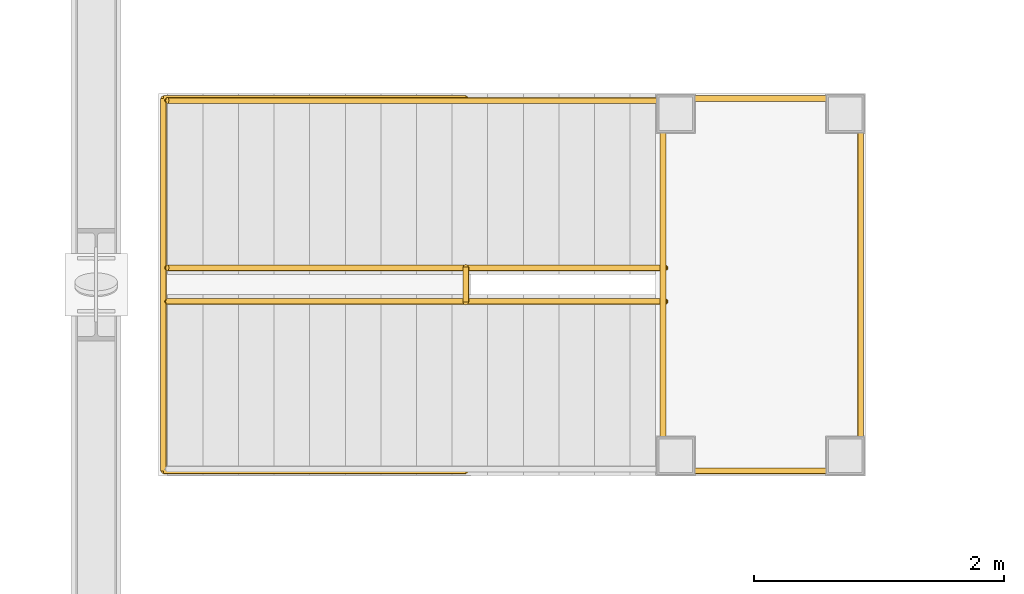
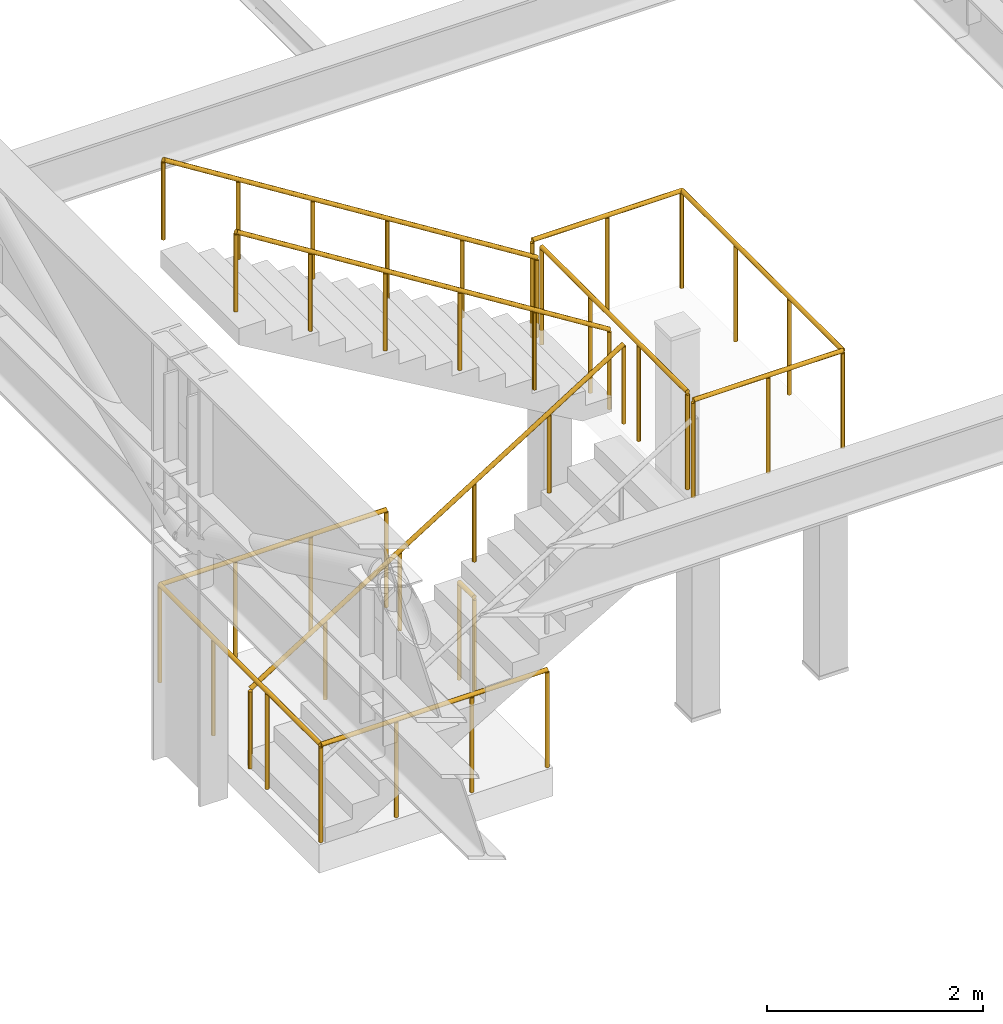
# One storey, part 124 of 143: 7 railings.
"""IFC4 building model written with IfcOpenShell, lengths in metres."""

from ifc_helpers import new_model, si_unit, direction, frame, origin, origin_2d, place, context, subcontext, project, spatial, circle, extrude, material, type_object, element, save


model = new_model("IFC4")

# Units and contexts
model_context = context("Model", 3, precision=1e-05, world=origin(), true_north=direction((0.0, 1.0)))
body_context = subcontext(model_context, "Body", "Model", "MODEL_VIEW")
ifc_project = project(units=[si_unit("LENGTHUNIT", "METRE"), si_unit("AREAUNIT", "SQUARE_METRE"), si_unit("VOLUMEUNIT", "CUBIC_METRE"), si_unit("PLANEANGLEUNIT", "RADIAN"), si_unit("MASSUNIT", "GRAM", prefix="KILO")], contexts=[model_context])

# Site, building, storey
site_placement = place(None, origin())
site = spatial("IfcSite", under=ifc_project, at=site_placement, CompositionType="ELEMENT")
building_placement = place(site_placement, origin())
building = spatial("IfcBuilding", under=site, at=building_placement, Name="Marlcrest Central Station", CompositionType="ELEMENT")
storey_placement = place(building_placement, frame((0.0, 0.0, 4.800048828125)))
storey = spatial("IfcBuildingStorey", under=building, at=storey_placement, Name="L01", CompositionType="ELEMENT", Elevation=4.800048828125)

# Railings
ifc_material_1 = material(Name="Stainless steel and laminated glass concourse balustrade", Category="steel")
railing_type_1 = type_object("IfcRailingType", Name="GR-02", PredefinedType="BALUSTRADE", material=ifc_material_1)
railing_1_placement = place(storey_placement, frame((121.4599609375, 49.510009765625, 0.0)))
element("IfcRailing", 1, at=railing_1_placement, inside=storey, type_object=railing_type_1, Name="hr-L01-00052", PredefinedType="BALUSTRADE", context=body_context, shape_type="SweptSolid", body=[
    extrude(circle(Radius=0.02392578125, at=origin_2d()), frame((0.0, 0.0, 1.09619140625), z_axis=(-1.0, 0.0, 0.0), x_axis=(0.0, -1.0, 0.0)), (0.0, 0.0, 1.0), 2.419921875),
    extrude(circle(Radius=0.02392578125, at=origin_2d()), frame((-2.419921875, 0.0, 1.09619140625), z_axis=(0.0, 1.0, 0.0), x_axis=(-1.0, 0.0, 0.0)), (0.0, 0.0, 1.0), 2.97998046875),
    extrude(circle(Radius=0.02392578125, at=origin_2d()), frame((-2.419921875, 2.97998046875, 1.09619140625), z_axis=(1.0, 0.0, 0.0), x_axis=(0.0, 1.0, 0.0)), (0.0, 0.0, 1.0), 2.419921875),
    extrude(circle(Radius=0.02099609375, at=origin_2d()), origin(), (0.0, 0.0, 1.0), 1.072021484375),
    extrude(circle(Radius=0.02099609375, at=origin_2d()), frame((-0.806640625, 0.0, 0.0)), (0.0, 0.0, 1.0), 1.072021484375),
    extrude(circle(Radius=0.02099609375, at=origin_2d()), frame((-1.61328125, 0.0, 0.0)), (0.0, 0.0, 1.0), 1.072021484375),
    extrude(circle(Radius=0.02099609375, at=origin_2d()), frame((-2.419921875, 0.0, 0.0)), (0.0, 0.0, 1.0), 1.072021484375),
    extrude(circle(Radius=0.02099609375, at=origin_2d()), frame((-2.419921875, 0.993408203125, 0.0)), (0.0, 0.0, 1.0), 1.072021484375),
    extrude(circle(Radius=0.02099609375, at=origin_2d()), frame((-2.419921875, 1.986572265625, 0.0)), (0.0, 0.0, 1.0), 1.072021484375),
    extrude(circle(Radius=0.02099609375, at=origin_2d()), frame((-2.419921875, 2.97998046875, 0.0)), (0.0, 0.0, 1.0), 1.072021484375),
    extrude(circle(Radius=0.02099609375, at=origin_2d()), frame((-1.61328125, 2.97998046875, 0.0)), (0.0, 0.0, 1.0), 1.072021484375),
    extrude(circle(Radius=0.02099609375, at=origin_2d()), frame((-0.806640625, 2.97998046875, 0.0)), (0.0, 0.0, 1.0), 1.072021484375),
    extrude(circle(Radius=0.02099609375, at=origin_2d()), frame((0.0, 2.97998046875, 0.0)), (0.0, 0.0, 1.0), 1.072021484375),
])
railing_2_placement = place(storey_placement, frame((121.4599609375, 50.860107421875, 0.0)))
element("IfcRailing", 2, at=railing_2_placement, inside=storey, type_object=railing_type_1, Name="hr-L01-00053", PredefinedType="BALUSTRADE", context=body_context, shape_type="SweptSolid", body=[
    extrude(circle(Radius=0.02392578125, at=origin_2d()), frame((0.0, 0.0, 1.09619140625), z_axis=(0.0, 1.0, 0.0), x_axis=(-1.0, 0.0, 0.0)), (0.0, 0.0, 1.0), 0.27978515625),
    extrude(circle(Radius=0.02099609375, at=origin_2d()), origin(), (0.0, 0.0, 1.0), 1.072021484375),
    extrude(circle(Radius=0.02099609375, at=origin_2d()), frame((0.0, 0.27978515625, 0.0)), (0.0, 0.0, 1.0), 1.072021484375),
])
railing_3_placement = place(storey_placement, frame((123.02001953125, 49.510009765625, 2.5)))
element("IfcRailing", 3, at=railing_3_placement, inside=storey, type_object=railing_type_1, Name="hr-L01-00067", PredefinedType="BALUSTRADE", context=body_context, shape_type="SweptSolid", body=[
    extrude(circle(Radius=0.02392578125, at=origin_2d()), frame((0.0, 0.0, 1.09619140625), z_axis=(1.0, 0.0, 0.0), x_axis=(0.0, 1.0, 0.0)), (0.0, 0.0, 1.0), 1.60009765625),
    extrude(circle(Radius=0.02392578125, at=origin_2d()), frame((1.60009765625, 0.0, 1.09619140625), z_axis=(0.0, 1.0, 0.0), x_axis=(-1.0, 0.0, 0.0)), (0.0, 0.0, 1.0), 2.97998046875),
    extrude(circle(Radius=0.02392578125, at=origin_2d()), frame((1.60009765625, 2.97998046875, 1.09619140625), z_axis=(-1.0, 0.0, 0.0), x_axis=(0.0, -1.0, 0.0)), (0.0, 0.0, 1.0), 1.60009765625),
    extrude(circle(Radius=0.02099609375, at=origin_2d()), origin(), (0.0, 0.0, 1.0), 1.072021484375),
    extrude(circle(Radius=0.02099609375, at=origin_2d()), frame((0.800048828125, 0.0, 0.0)), (0.0, 0.0, 1.0), 1.072021484375),
    extrude(circle(Radius=0.02099609375, at=origin_2d()), frame((1.60009765625, 0.0, 0.0)), (0.0, 0.0, 1.0), 1.072021484375),
    extrude(circle(Radius=0.02099609375, at=origin_2d()), frame((1.60009765625, 0.993408203125, 0.0)), (0.0, 0.0, 1.0), 1.072021484375),
    extrude(circle(Radius=0.02099609375, at=origin_2d()), frame((1.60009765625, 1.986572265625, 0.0)), (0.0, 0.0, 1.0), 1.072021484375),
    extrude(circle(Radius=0.02099609375, at=origin_2d()), frame((1.60009765625, 2.97998046875, 0.0)), (0.0, 0.0, 1.0), 1.072021484375),
    extrude(circle(Radius=0.02099609375, at=origin_2d()), frame((0.800048828125, 2.97998046875, 0.0)), (0.0, 0.0, 1.0), 1.072021484375),
    extrude(circle(Radius=0.02099609375, at=origin_2d()), frame((0.0, 2.97998046875, 0.0)), (0.0, 0.0, 1.0), 1.072021484375),
])
railing_4_placement = place(storey_placement, frame((123.0400390625, 49.64990234375, 2.5)))
element("IfcRailing", 4, at=railing_4_placement, inside=storey, type_object=railing_type_1, Name="hr-L01-00576", PredefinedType="BALUSTRADE", context=body_context, shape_type="SweptSolid", body=[
    extrude(circle(Radius=0.02392578125, at=origin_2d()), frame((0.0, 0.0, 1.09619140625), z_axis=(0.0, 1.0, 0.0), x_axis=(-1.0, 0.0, 0.0)), (0.0, 0.0, 1.0), 2.7001953125),
    extrude(circle(Radius=0.02099609375, at=origin_2d()), origin(), (0.0, 0.0, 1.0), 1.072021484375),
    extrude(circle(Radius=0.02099609375, at=origin_2d()), frame((0.0, 0.900146484375, 0.0)), (0.0, 0.0, 1.0), 1.072021484375),
    extrude(circle(Radius=0.02099609375, at=origin_2d()), frame((0.0, 1.800048828125, 0.0)), (0.0, 0.0, 1.0), 1.072021484375),
    extrude(circle(Radius=0.02099609375, at=origin_2d()), frame((0.0, 2.7001953125, 0.0)), (0.0, 0.0, 1.0), 1.072021484375),
])
ifc_material_2 = material(Name="Brushed stainless steel handrail", Category="steel")
railing_type_2 = type_object("IfcRailingType", Name="HR-01", PredefinedType="HANDRAIL", material=ifc_material_2)
railing_5_placement = place(storey_placement, frame((123.06005859375, 51.135009765625, 2.5)))
element("IfcRailing", 5, at=railing_5_placement, inside=storey, type_object=railing_type_2, Name="hr-L01-00064", PredefinedType="HANDRAIL", context=body_context, shape_type="SweptSolid", body=[
    extrude(circle(Radius=0.02392578125, at=origin_2d()), frame((0.0, 0.0, 0.89599609375), z_axis=(-0.847400605549, 0.0, 0.530954059892), x_axis=(0.0, -1.0, 0.0)), (0.0, 0.0, 1.0), 4.70849609375),
    extrude(circle(Radius=0.02099609375, at=origin_2d()), origin(), (0.0, 0.0, 1.0), 0.871826171875),
    extrude(circle(Radius=0.02099609375, at=origin_2d()), frame((-0.798095703125, 0.0, 0.5)), (0.0, 0.0, 1.0), 0.871826171875),
    extrude(circle(Radius=0.02099609375, at=origin_2d()), frame((-1.595947265625, 0.0, 1.0)), (0.0, 0.0, 1.0), 0.871826171875),
    extrude(circle(Radius=0.02099609375, at=origin_2d()), frame((-2.39404296875, 0.0, 1.5)), (0.0, 0.0, 1.0), 0.871826171875),
    extrude(circle(Radius=0.02099609375, at=origin_2d()), frame((-3.19189453125, 0.0, 2.0)), (0.0, 0.0, 1.0), 0.871826171875),
    extrude(circle(Radius=0.02099609375, at=origin_2d()), frame((-3.989990234375, 0.0, 2.5)), (0.0, 0.0, 1.0), 0.871826171875),
])
railing_6_placement = place(storey_placement, frame((119.070068359375, 50.864990234375, 0.0)))
element("IfcRailing", 6, at=railing_6_placement, inside=storey, type_object=railing_type_2, Name="hr-L01-00065", PredefinedType="HANDRAIL", context=body_context, shape_type="SweptSolid", body=[
    extrude(circle(Radius=0.02392578125, at=origin_2d()), frame((0.0, 0.0, 0.89599609375), z_axis=(0.847400605549, 0.0, 0.530954059892), x_axis=(0.0, 1.0, 0.0)), (0.0, 0.0, 1.0), 4.70849609375),
    extrude(circle(Radius=0.02099609375, at=origin_2d()), origin(), (0.0, 0.0, 1.0), 0.871826171875),
    extrude(circle(Radius=0.02099609375, at=origin_2d()), frame((0.798095703125, 0.0, 0.5)), (0.0, 0.0, 1.0), 0.871826171875),
    extrude(circle(Radius=0.02099609375, at=origin_2d()), frame((1.595947265625, 0.0, 1.0)), (0.0, 0.0, 1.0), 0.871826171875),
    extrude(circle(Radius=0.02099609375, at=origin_2d()), frame((2.39404296875, 0.0, 1.5)), (0.0, 0.0, 1.0), 0.871826171875),
    extrude(circle(Radius=0.02099609375, at=origin_2d()), frame((3.19189453125, 0.0, 2.0)), (0.0, 0.0, 1.0), 0.871826171875),
    extrude(circle(Radius=0.02099609375, at=origin_2d()), frame((3.989990234375, 0.0, 2.5)), (0.0, 0.0, 1.0), 0.871826171875),
])
railing_7_placement = place(storey_placement, frame((123.06005859375, 52.47509765625, 2.5)))
element("IfcRailing", 7, at=railing_7_placement, inside=storey, type_object=railing_type_2, Name="hr-L01-00066", PredefinedType="HANDRAIL", context=body_context, shape_type="SweptSolid", body=[
    extrude(circle(Radius=0.02392578125, at=origin_2d()), frame((0.0, 0.0, 0.89599609375), z_axis=(-0.847400605549, 0.0, 0.530954059892), x_axis=(0.0, -1.0, 0.0)), (0.0, 0.0, 1.0), 4.70849609375),
    extrude(circle(Radius=0.02099609375, at=origin_2d()), origin(), (0.0, 0.0, 1.0), 0.871826171875),
    extrude(circle(Radius=0.02099609375, at=origin_2d()), frame((-0.798095703125, 0.0, 0.5)), (0.0, 0.0, 1.0), 0.871826171875),
    extrude(circle(Radius=0.02099609375, at=origin_2d()), frame((-1.595947265625, 0.0, 1.0)), (0.0, 0.0, 1.0), 0.871826171875),
    extrude(circle(Radius=0.02099609375, at=origin_2d()), frame((-2.39404296875, 0.0, 1.5)), (0.0, 0.0, 1.0), 0.871826171875),
    extrude(circle(Radius=0.02099609375, at=origin_2d()), frame((-3.19189453125, 0.0, 2.0)), (0.0, 0.0, 1.0), 0.871826171875),
    extrude(circle(Radius=0.02099609375, at=origin_2d()), frame((-3.989990234375, 0.0, 2.5)), (0.0, 0.0, 1.0), 0.871826171875),
])

save(model, "model.ifc")
